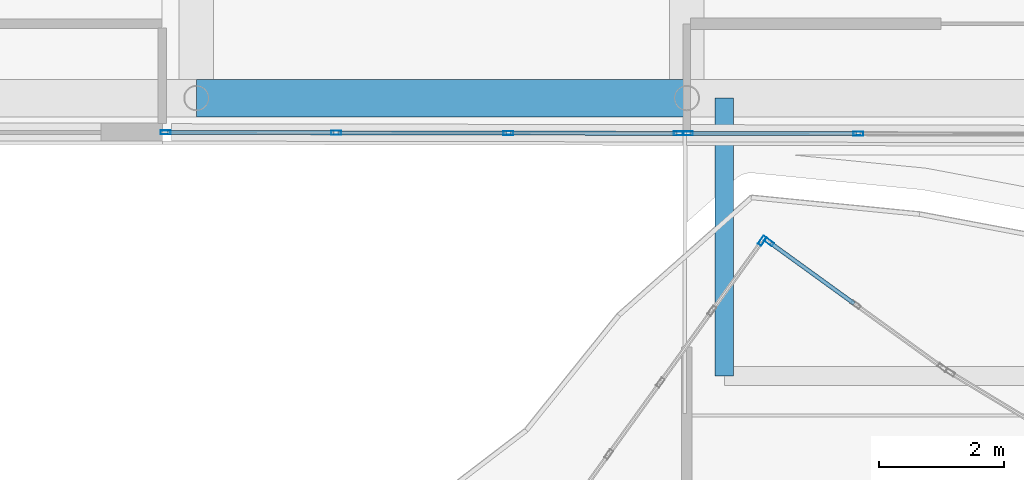
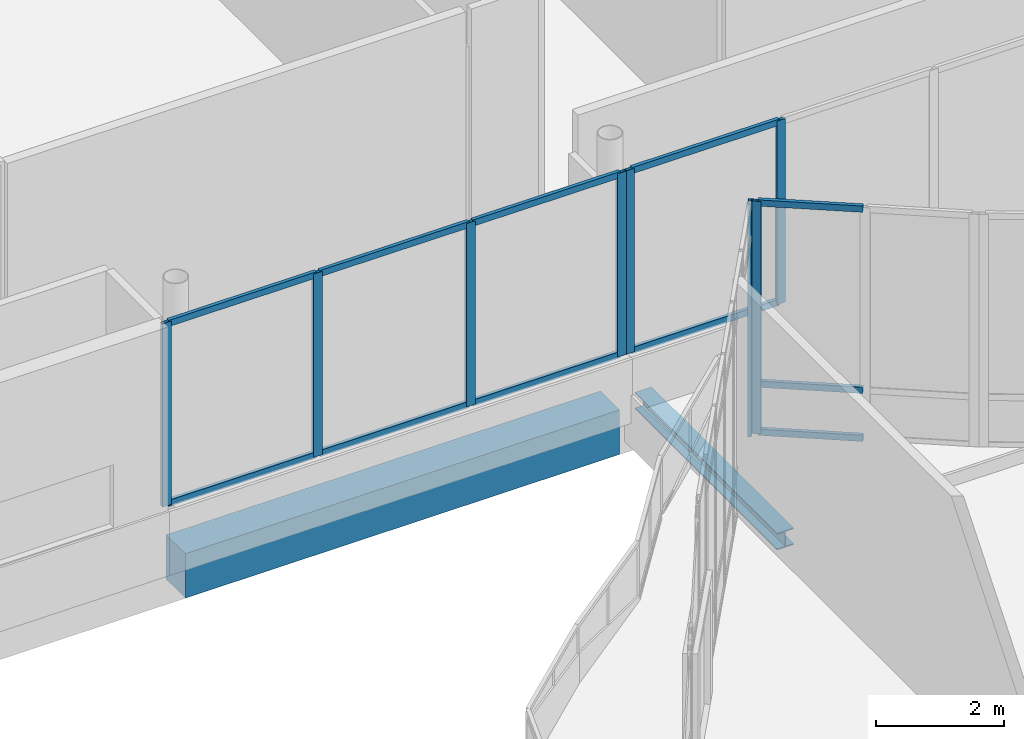
# One storey, part 28 of 168: 19 members, 2 beams, 4 elements without a shape of their own.
"""IFC4 building model written with IfcOpenShell, lengths in metres."""

from ifc_helpers import new_model, si_unit, direction, frame, origin, origin_2d, place, context, subcontext, project, spatial, rectangle, hollow_rectangle, i_section, extrude, material, material_profile, profile_set, type_object, element, aggregate, save


model = new_model("IFC4")

# Units and contexts
model_context = context("Model", 3, precision=1e-05, world=origin(), true_north=direction((0.0, 1.0)))
body_context = subcontext(model_context, "Body", "Model", "MODEL_VIEW")
ifc_project = project(units=[si_unit("LENGTHUNIT", "METRE"), si_unit("AREAUNIT", "SQUARE_METRE"), si_unit("VOLUMEUNIT", "CUBIC_METRE"), si_unit("PLANEANGLEUNIT", "RADIAN"), si_unit("MASSUNIT", "GRAM", prefix="KILO")], contexts=[model_context])

# Site, building, storey
site_placement = place(None, origin())
site = spatial("IfcSite", under=ifc_project, at=site_placement, CompositionType="ELEMENT")
building_placement = place(site_placement, origin())
building = spatial("IfcBuilding", under=site, at=building_placement, Name="Selatvlak General Hospital", CompositionType="ELEMENT")
storey_placement = place(building_placement, frame((0.0, 0.0, 5.39990234375)))
storey = spatial("IfcBuildingStorey", under=building, at=storey_placement, Name="L01", CompositionType="ELEMENT", Elevation=5.39990234375)

# Beams
ifc_material_1 = material(Name="Steel S355", Category="steel")
ifc_material_profile_1 = material_profile(ifc_material_1, i_section(OverallWidth=0.300048828125, OverallDepth=0.320068359375, WebThickness=0.011474609375, FlangeThickness=0.0205078125, at=origin_2d()), Name="HEB 320")
ifc_profile_set_1 = profile_set([ifc_material_profile_1], Name="Steel S355")
beam_type_1 = type_object("IfcBeamType", Name="BM-CAN", PredefinedType="BEAM", material=ifc_profile_set_1)
beam_1_placement = place(storey_placement, frame((31.800048828125, 48.10009765625, -0.47998046875), z_axis=(0.0, 1.0, 0.0), x_axis=(-1.0, 0.0, 0.0)))
element("IfcBeam", 1, at=beam_1_placement, inside=storey, type_object=beam_type_1, Name="Beam BMR-L01-2945", PredefinedType="BEAM", context=body_context, shape_type="SweptSolid", body=[
    extrude(i_section(OverallWidth=0.300048828125, OverallDepth=0.320068359375, WebThickness=0.011474609375, FlangeThickness=0.0205078125, at=origin_2d()), origin(), (0.0, 0.0, 1.0), 4.449951171875),
])
ifc_material_2 = material(Name="Concrete C40/50", Category="concrete")
ifc_material_profile_2 = material_profile(ifc_material_2, rectangle(XDim=0.60009765625, YDim=0.85009765625, at=origin_2d()), Name="RC-BM 600x850")
ifc_profile_set_2 = profile_set([ifc_material_profile_2], Name="Concrete C40/50")
beam_type_2 = type_object("IfcBeamType", Name="BM-G01", PredefinedType="BEAM", material=ifc_profile_set_2)
beam_2_placement = place(storey_placement, frame((23.35009765625, 52.550048828125, -0.744873046875), z_axis=(1.0, 0.0, 0.0), x_axis=(0.0, 1.0, 0.0)))
element("IfcBeam", 2, at=beam_2_placement, inside=storey, type_object=beam_type_2, Name="Beam BMR-L01-0385", PredefinedType="BEAM", context=body_context, shape_type="SweptSolid", body=[
    extrude(rectangle(XDim=0.60009765625, YDim=0.85009765625, at=origin_2d()), origin(), (0.0, 0.0, 1.0), 7.849853515625),
])

# Curtain wall, member
ifc_material_3 = material(Name="Solar-control Low-E double glazing", Category="glass")
curtain_wall_type_1 = type_object("IfcCurtainWallType", Name="CW-CW-01", PredefinedType="USERDEFINED", material=ifc_material_3)
curtain_wall_1_placement = place(storey_placement, origin())
curtain_wall_1 = element("IfcCurtainWall", 3, at=curtain_wall_1_placement, inside=storey, type_object=curtain_wall_type_1, Name="Glazed facade curtain wall CW-L01-0189", ObjectType="UNITISED CURTAIN WALL", PredefinedType="USERDEFINED")
ifc_material_4 = material(Name="Dark anodised aluminium mullion", Category="aluminium")
ifc_material_profile_3 = material_profile(ifc_material_4, hollow_rectangle(XDim=0.06494140625, YDim=0.159912109375, WallThickness=0.00390625, at=origin_2d()), Name="AL-MUL 65x160x4")
ifc_profile_set_3 = profile_set([ifc_material_profile_3], Name="Dark anodised aluminium mullion")
member_type_1 = type_object("IfcMemberType", Name="CWM-01", PredefinedType="MULLION", material=ifc_profile_set_3)
member_1_placement = place(storey_placement, frame((32.407958984375, 50.2666015625, 0.0), z_axis=(0.0, 0.0, 1.0), x_axis=(-0.811837318502, 0.583883694145, 0.0)))
member_1 = element("IfcMember", 4, at=member_1_placement, type_object=member_type_1, Name="CW-01 mullion 6", PredefinedType="MULLION", context=body_context, shape_type="SweptSolid", body=[
    extrude(hollow_rectangle(XDim=0.06494140625, YDim=0.159912109375, WallThickness=0.00390625, at=origin_2d()), origin(), (0.0, 0.0, 1.0), 4.445068359375),
])
aggregate(curtain_wall_1, [member_1])

curtain_wall_type_2 = type_object("IfcCurtainWallType", Name="CW-CW-02", PredefinedType="USERDEFINED", material=ifc_material_3)
curtain_wall_2_placement = place(storey_placement, origin())
curtain_wall_2 = element("IfcCurtainWall", 5, at=curtain_wall_2_placement, inside=storey, type_object=curtain_wall_type_2, Name="Glazed facade curtain wall CW-L01-0190", ObjectType="UNITISED CURTAIN WALL", PredefinedType="USERDEFINED")
member_2_placement = place(storey_placement, frame((32.514404296875, 50.248046875, 0.0), z_axis=(0.0, 0.0, 1.0), x_axis=(0.58631560804, 0.810082716622, 0.0)))
member_2 = element("IfcMember", 6, at=member_2_placement, type_object=member_type_1, Name="CW-02 mullion 1", PredefinedType="MULLION", context=body_context, shape_type="SweptSolid", body=[
    extrude(hollow_rectangle(XDim=0.06494140625, YDim=0.159912109375, WallThickness=0.00390625, at=origin_2d()), origin(), (0.0, 0.0, 1.0), 4.445068359375),
])

# Curtain wall, members
curtain_wall_3_placement = place(storey_placement, origin())
curtain_wall_3 = element("IfcCurtainWall", 7, at=curtain_wall_3_placement, inside=storey, type_object=curtain_wall_type_2, Name="Glazed facade curtain wall CW-L01-0213", ObjectType="UNITISED CURTAIN WALL", PredefinedType="USERDEFINED")
member_3_placement = place(storey_placement, frame((33.94677734375, 51.97998046875, 0.940185546875), z_axis=(0.0, 0.0, 1.0), x_axis=(-0.001811153756, -0.99999835986, 0.0)))
member_3 = element("IfcMember", 8, at=member_3_placement, type_object=member_type_1, Name="CW-02 mullion 3", PredefinedType="MULLION", context=body_context, shape_type="SweptSolid", body=[
    extrude(hollow_rectangle(XDim=0.06494140625, YDim=0.159912109375, WallThickness=0.00390625, at=origin_2d()), origin(), (0.0, 0.0, 1.0), 3.5048828125),
])
member_4_placement = place(storey_placement, frame((31.218505859375, 51.98486328125, 0.940185546875), z_axis=(0.0, 0.0, 1.0), x_axis=(-0.001811153756, -0.99999835986, 0.0)))
member_4 = element("IfcMember", 9, at=member_4_placement, type_object=member_type_1, Name="CW-02 mullion 4", PredefinedType="MULLION", context=body_context, shape_type="SweptSolid", body=[
    extrude(hollow_rectangle(XDim=0.06494140625, YDim=0.159912109375, WallThickness=0.00390625, at=origin_2d()), origin(), (0.0, 0.0, 1.0), 3.5048828125),
])

curtain_wall_4_placement = place(storey_placement, origin())
curtain_wall_4 = element("IfcCurtainWall", 10, at=curtain_wall_4_placement, inside=storey, type_object=curtain_wall_type_1, Name="Glazed facade curtain wall CW-L01-0214", ObjectType="UNITISED CURTAIN WALL", PredefinedType="USERDEFINED")
member_5_placement = place(storey_placement, frame((31.073486328125, 51.985107421875, 0.940185546875), z_axis=(0.0, 0.0, 1.0), x_axis=(-0.001811153756, -0.99999835986, 0.0)))
member_5 = element("IfcMember", 11, at=member_5_placement, type_object=member_type_1, Name="CW-01 mullion 1", PredefinedType="MULLION", context=body_context, shape_type="SweptSolid", body=[
    extrude(hollow_rectangle(XDim=0.06494140625, YDim=0.159912109375, WallThickness=0.00390625, at=origin_2d()), origin(), (0.0, 0.0, 1.0), 3.5048828125),
])
member_6_placement = place(storey_placement, frame((28.34521484375, 51.989990234375, 0.940185546875), z_axis=(0.0, 0.0, 1.0), x_axis=(-0.001811153756, -0.99999835986, 0.0)))
member_6 = element("IfcMember", 12, at=member_6_placement, type_object=member_type_1, Name="CW-01 mullion 2", PredefinedType="MULLION", context=body_context, shape_type="SweptSolid", body=[
    extrude(hollow_rectangle(XDim=0.06494140625, YDim=0.159912109375, WallThickness=0.00390625, at=origin_2d()), origin(), (0.0, 0.0, 1.0), 3.5048828125),
])
member_7_placement = place(storey_placement, frame((25.584716796875, 51.9951171875, 0.940185546875), z_axis=(0.0, 0.0, 1.0), x_axis=(-0.001811153756, -0.99999835986, 0.0)))
member_7 = element("IfcMember", 13, at=member_7_placement, type_object=member_type_1, Name="CW-01 mullion 3", PredefinedType="MULLION", context=body_context, shape_type="SweptSolid", body=[
    extrude(hollow_rectangle(XDim=0.06494140625, YDim=0.159912109375, WallThickness=0.00390625, at=origin_2d()), origin(), (0.0, 0.0, 1.0), 3.5048828125),
])
member_8_placement = place(storey_placement, frame((22.8564453125, 52.0, 0.940185546875), z_axis=(0.0, 0.0, 1.0), x_axis=(-0.001811153756, -0.99999835986, 0.0)))
member_8 = element("IfcMember", 14, at=member_8_placement, type_object=member_type_1, Name="CW-01 mullion 4", PredefinedType="MULLION", context=body_context, shape_type="SweptSolid", body=[
    extrude(hollow_rectangle(XDim=0.06494140625, YDim=0.159912109375, WallThickness=0.00390625, at=origin_2d()), origin(), (0.0, 0.0, 1.0), 3.5048828125),
])

# Member
ifc_material_profile_4 = material_profile(ifc_material_4, hollow_rectangle(XDim=0.06494140625, YDim=0.1201171875, WallThickness=0.00390625, at=origin_2d()), Name="AL-TRN 65x120x4")
ifc_profile_set_4 = profile_set([ifc_material_profile_4], Name="Dark anodised aluminium mullion")
member_type_2 = type_object("IfcMemberType", Name="CWT-01", PredefinedType="USERDEFINED", material=ifc_profile_set_4)
member_9_placement = place(storey_placement, frame((32.540771484375, 50.22900390625, 0.03271484375), z_axis=(0.810007561929, -0.586419431481, 0.0), x_axis=(0.586419431481, 0.810007561929, 0.0)))
member_9 = element("IfcMember", 15, at=member_9_placement, type_object=member_type_2, Name="CW-02 transom 1.1", ObjectType="TRANSOM", PredefinedType="USERDEFINED", context=body_context, shape_type="SweptSolid", body=[
    extrude(hollow_rectangle(XDim=0.06494140625, YDim=0.1201171875, WallThickness=0.00390625, at=origin_2d()), origin(), (0.0, 0.0, 1.0), 1.64990234375),
])

member_10_placement = place(storey_placement, frame((32.540771484375, 50.22900390625, 0.9501953125), z_axis=(0.810007561929, -0.586419431481, 0.0), x_axis=(0.586419431481, 0.810007561929, 0.0)))
member_10 = element("IfcMember", 16, at=member_10_placement, type_object=member_type_2, Name="CW-02 transom 1.2", ObjectType="TRANSOM", PredefinedType="USERDEFINED", context=body_context, shape_type="SweptSolid", body=[
    extrude(hollow_rectangle(XDim=0.06494140625, YDim=0.1201171875, WallThickness=0.00390625, at=origin_2d()), origin(), (0.0, 0.0, 1.0), 1.64990234375),
])

member_11_placement = place(storey_placement, frame((32.540771484375, 50.22900390625, 4.41259765625), z_axis=(0.810007561929, -0.586419431481, 0.0), x_axis=(0.586419431481, 0.810007561929, 0.0)))
member_11 = element("IfcMember", 17, at=member_11_placement, type_object=member_type_2, Name="CW-02 transom 1.3", ObjectType="TRANSOM", PredefinedType="USERDEFINED", context=body_context, shape_type="SweptSolid", body=[
    extrude(hollow_rectangle(XDim=0.06494140625, YDim=0.1201171875, WallThickness=0.00390625, at=origin_2d()), origin(), (0.0, 0.0, 1.0), 1.64990234375),
])

aggregate(curtain_wall_2, [member_2, member_9, member_10, member_11])

member_12_placement = place(storey_placement, frame((33.9140625, 51.97998046875, 0.97265625), z_axis=(-0.999998319113, 0.001833513603, 0.0), x_axis=(-0.001833513603, -0.999998319113, 0.0)))
member_12 = element("IfcMember", 18, at=member_12_placement, type_object=member_type_2, Name="CW-02 transom 3.1", ObjectType="TRANSOM", PredefinedType="USERDEFINED", context=body_context, shape_type="SweptSolid", body=[
    extrude(hollow_rectangle(XDim=0.06494140625, YDim=0.1201171875, WallThickness=0.00390625, at=origin_2d()), origin(), (0.0, 0.0, 1.0), 2.6630859375),
])

member_13_placement = place(storey_placement, frame((33.9140625, 51.97998046875, 4.41259765625), z_axis=(-0.999998319113, 0.001833513603, 0.0), x_axis=(-0.001833513603, -0.999998319113, 0.0)))
member_13 = element("IfcMember", 19, at=member_13_placement, type_object=member_type_2, Name="CW-02 transom 3.2", ObjectType="TRANSOM", PredefinedType="USERDEFINED", context=body_context, shape_type="SweptSolid", body=[
    extrude(hollow_rectangle(XDim=0.06494140625, YDim=0.1201171875, WallThickness=0.00390625, at=origin_2d()), origin(), (0.0, 0.0, 1.0), 2.6630859375),
])

aggregate(curtain_wall_3, [member_3, member_4, member_12, member_13])

member_14_placement = place(storey_placement, frame((31.041015625, 51.985107421875, 0.97265625), z_axis=(-0.999998319113, 0.001833513603, 0.0), x_axis=(-0.001833513603, -0.999998319113, 0.0)))
member_14 = element("IfcMember", 20, at=member_14_placement, type_object=member_type_2, Name="CW-01 transom 1.1", ObjectType="TRANSOM", PredefinedType="USERDEFINED", context=body_context, shape_type="SweptSolid", body=[
    extrude(hollow_rectangle(XDim=0.06494140625, YDim=0.1201171875, WallThickness=0.00390625, at=origin_2d()), origin(), (0.0, 0.0, 1.0), 2.6630859375),
])

member_15_placement = place(storey_placement, frame((31.041015625, 51.985107421875, 4.41259765625), z_axis=(-0.999998319113, 0.001833513603, 0.0), x_axis=(-0.001833513603, -0.999998319113, 0.0)))
member_15 = element("IfcMember", 21, at=member_15_placement, type_object=member_type_2, Name="CW-01 transom 1.2", ObjectType="TRANSOM", PredefinedType="USERDEFINED", context=body_context, shape_type="SweptSolid", body=[
    extrude(hollow_rectangle(XDim=0.06494140625, YDim=0.1201171875, WallThickness=0.00390625, at=origin_2d()), origin(), (0.0, 0.0, 1.0), 2.6630859375),
])

member_16_placement = place(storey_placement, frame((28.312744140625, 51.989990234375, 0.97265625), z_axis=(-0.999998359364, 0.001811427152, 0.0), x_axis=(-0.001811427152, -0.999998359364, 0.0)))
member_16 = element("IfcMember", 22, at=member_16_placement, type_object=member_type_2, Name="CW-01 transom 2.1", ObjectType="TRANSOM", PredefinedType="USERDEFINED", context=body_context, shape_type="SweptSolid", body=[
    extrude(hollow_rectangle(XDim=0.06494140625, YDim=0.1201171875, WallThickness=0.00390625, at=origin_2d()), origin(), (0.0, 0.0, 1.0), 2.695556640625),
])

member_17_placement = place(storey_placement, frame((28.312744140625, 51.989990234375, 4.41259765625), z_axis=(-0.999998359364, 0.001811427152, 0.0), x_axis=(-0.001811427152, -0.999998359364, 0.0)))
member_17 = element("IfcMember", 23, at=member_17_placement, type_object=member_type_2, Name="CW-01 transom 2.2", ObjectType="TRANSOM", PredefinedType="USERDEFINED", context=body_context, shape_type="SweptSolid", body=[
    extrude(hollow_rectangle(XDim=0.06494140625, YDim=0.1201171875, WallThickness=0.00390625, at=origin_2d()), origin(), (0.0, 0.0, 1.0), 2.695556640625),
])

member_18_placement = place(storey_placement, frame((25.55224609375, 51.9951171875, 0.97265625), z_axis=(-0.999998319421, 0.00183334553, 0.0), x_axis=(-0.00183334553, -0.999998319421, 0.0)))
member_18 = element("IfcMember", 24, at=member_18_placement, type_object=member_type_2, Name="CW-01 transom 3.1", ObjectType="TRANSOM", PredefinedType="USERDEFINED", context=body_context, shape_type="SweptSolid", body=[
    extrude(hollow_rectangle(XDim=0.06494140625, YDim=0.1201171875, WallThickness=0.00390625, at=origin_2d()), origin(), (0.0, 0.0, 1.0), 2.663330078125),
])

member_19_placement = place(storey_placement, frame((25.55224609375, 51.9951171875, 4.41259765625), z_axis=(-0.999998319421, 0.00183334553, 0.0), x_axis=(-0.00183334553, -0.999998319421, 0.0)))
member_19 = element("IfcMember", 25, at=member_19_placement, type_object=member_type_2, Name="CW-01 transom 3.2", ObjectType="TRANSOM", PredefinedType="USERDEFINED", context=body_context, shape_type="SweptSolid", body=[
    extrude(hollow_rectangle(XDim=0.06494140625, YDim=0.1201171875, WallThickness=0.00390625, at=origin_2d()), origin(), (0.0, 0.0, 1.0), 2.663330078125),
])

aggregate(curtain_wall_4, [member_5, member_6, member_7, member_8, member_14, member_15, member_16, member_17, member_18, member_19])

save(model, "model.ifc")
